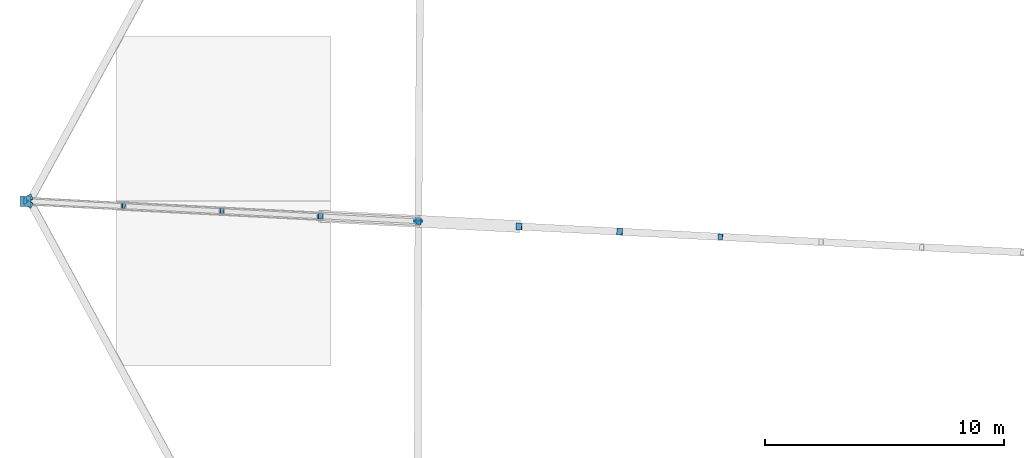
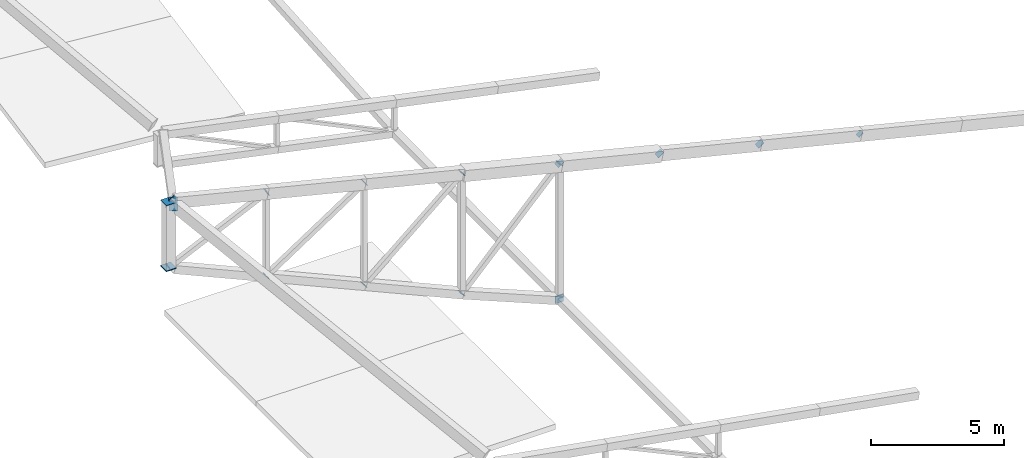
# One storey, part 157 of 188: 19 discrete accessories.
"""IFC4 building model written with IfcOpenShell, lengths in metres."""

from ifc_helpers import new_model, si_unit, direction, frame, origin, origin_2d, place, context, subcontext, project, spatial, rectangle, extrude, material, material_profile, profile_set, type_object, element, save


model = new_model("IFC4")

# Units and contexts
model_context = context("Model", 3, precision=1e-05, world=origin(), true_north=direction((0.0, 1.0)))
body_context = subcontext(model_context, "Body", "Model", "MODEL_VIEW")
ifc_project = project(units=[si_unit("LENGTHUNIT", "METRE"), si_unit("AREAUNIT", "SQUARE_METRE"), si_unit("VOLUMEUNIT", "CUBIC_METRE"), si_unit("PLANEANGLEUNIT", "RADIAN"), si_unit("MASSUNIT", "GRAM", prefix="KILO")], contexts=[model_context])

# Site, building, storey
site_placement = place(None, origin())
site = spatial("IfcSite", under=ifc_project, at=site_placement, CompositionType="ELEMENT")
building_placement = place(site_placement, origin())
building = spatial("IfcBuilding", under=site, at=building_placement, Name="Meseta Stadium", CompositionType="ELEMENT")
storey_placement = place(building_placement, frame((0.0, 0.0, 30.0)))
storey = spatial("IfcBuildingStorey", under=building, at=storey_placement, Name="ROOF", CompositionType="ELEMENT", Elevation=30.0)

# Discrete accessories
ifc_material_1 = material(Name="Steel S355", Category="steel")
ifc_material_profile_1 = material_profile(ifc_material_1, rectangle(XDim=0.239990234375, YDim=0.239990234375, at=origin_2d()), Name="PL 240x240")
ifc_profile_set_1 = profile_set([ifc_material_profile_1], Name="Steel S355")
discrete_accessory_type_1 = type_object("IfcDiscreteAccessoryType", Name="End plate 240x240x20", PredefinedType="ANCHORPLATE", material=ifc_profile_set_1)
for number, where, z_axis, x_axis, name in (
    (1, (-72.290771484375, 29.75390625, 4.313720703125), (-0.643571756924, 0.024285726676, 0.765000390306), (-0.0377090099, -0.999288762357, 0.0), "End plate of ROOF TRUSS RT-30 diagonal"),
    (2, (-84.927490234375, 30.4033203125, 7.017333984375), (-0.662389731567, 0.036799429531, -0.74825506714), (-0.055470019623, -0.998460353205, 0.0), "End plate of ROOF TRUSS RT-30 diagonal"),
    (3, (-89.055419921875, 30.615478515625, 2.376953125), (-0.669190878802, 0.036501320662, -0.742193520126), (-0.05446449316, -0.998515707931, 0.0), "End plate of ROOF TRUSS RT-30 diagonal"),
    (4, (-89.040771484375, 30.61474609375, 7.890625), (-0.730567373975, 0.036528368699, -0.681862882377), (-0.049937616944, -0.998752338878, 0.0), "End plate of ROOF TRUSS RT-30 diagonal"),
):
    element("IfcDiscreteAccessory", number, at=place(storey_placement, frame(where, z_axis=z_axis, x_axis=x_axis)), inside=storey, type_object=discrete_accessory_type_1, Name=name, PredefinedType="ANCHORPLATE", context=body_context, shape_type="SweptSolid", body=[
        extrude(rectangle(XDim=0.239990234375, YDim=0.239990234375, at=origin_2d()), origin(), (0.0, 0.0, 1.0), 0.02001953125),
    ])
discrete_accessory_1_placement = place(storey_placement, frame((-93.17041015625, 30.826904296875, 4.0849609375), z_axis=(-0.736265600911, 0.049084373394, -0.674910134169), x_axis=(-0.066519010524, -0.997785157857, 0.0)))
element("IfcDiscreteAccessory", 5, at=discrete_accessory_1_placement, inside=storey, type_object=discrete_accessory_type_1, Name="End plate of ROOF TRUSS RT-30 diagonal", PredefinedType="ANCHORPLATE", context=body_context, shape_type="SweptSolid", body=[
    extrude(rectangle(XDim=0.239990234375, YDim=0.239990234375, at=origin_2d()), origin(), (0.0, 0.0, 1.0), 0.019775390625),
])
for number, where, z_axis, x_axis, name in (
    (6, (-93.154052734375, 30.826171875, 8.763427734375), (-0.81237488576, 0.036374994885, -0.581999918156), (-0.044731300944, -0.998999054412, 0.0), "End plate of ROOF TRUSS RT-30 diagonal"),
    (7, (-97.28515625, 31.03857421875, 5.79296875), (-0.81237488576, 0.036374994885, -0.581999918156), (-0.044731300944, -0.998999054412, 0.0), "End plate of ROOF TRUSS RT-30 diagonal"),
    (8, (-97.267333984375, 31.03759765625, 9.635498046875), (-0.885971916349, 0.048546406375, -0.461190860565), (-0.054712446702, -0.998502152314, 0.0), "End plate of ROOF TRUSS RT-30 diagonal"),
    (9, (-101.39990234375, 31.25, 7.5009765625), (-0.885971916349, 0.048546406375, -0.461190860565), (-0.054712446702, -0.998502152314, 0.0), "End plate of ROOF TRUSS RT-30 diagonal"),
):
    element("IfcDiscreteAccessory", number, at=place(storey_placement, frame(where, z_axis=z_axis, x_axis=x_axis)), inside=storey, type_object=discrete_accessory_type_1, Name=name, PredefinedType="ANCHORPLATE", context=body_context, shape_type="SweptSolid", body=[
        extrude(rectangle(XDim=0.239990234375, YDim=0.239990234375, at=origin_2d()), origin(), (0.0, 0.0, 1.0), 0.02001953125),
    ])
ifc_material_2 = material(Name="Steel S355", Category="steel")
ifc_material_profile_2 = material_profile(ifc_material_2, rectangle(XDim=0.2900390625, YDim=0.2900390625, at=origin_2d()), Name="PL 290x290")
ifc_profile_set_2 = profile_set([ifc_material_profile_2], Name="Steel S355")
discrete_accessory_type_2 = type_object("IfcDiscreteAccessoryType", Name="End plate 290x290x20", PredefinedType="ANCHORPLATE", material=ifc_profile_set_2)
discrete_accessory_2_placement = place(storey_placement, frame((-76.50732421875, 29.970458984375, 5.2099609375), z_axis=(-0.609303184999, 0.0365581911, 0.792094140499), x_axis=(-0.059892290728, -0.998204845466, 0.0)))
element("IfcDiscreteAccessory", 10, at=discrete_accessory_2_placement, inside=storey, type_object=discrete_accessory_type_2, Name="End plate of ROOF TRUSS RT-30 diagonal", PredefinedType="ANCHORPLATE", context=body_context, shape_type="SweptSolid", body=[
    extrude(rectangle(XDim=0.2900390625, YDim=0.2900390625, at=origin_2d()), origin(), (0.0, 0.0, 1.0), 0.02001953125),
])
discrete_accessory_3_placement = place(storey_placement, frame((-80.72412109375, 30.187255859375, 6.106201171875), z_axis=(-0.565621274945, 0.036888344018, 0.823839683072), x_axis=(-0.065079137346, -0.997880105966, 0.0)))
element("IfcDiscreteAccessory", 11, at=discrete_accessory_3_placement, inside=storey, type_object=discrete_accessory_type_2, Name="End plate of ROOF TRUSS RT-30 diagonal", PredefinedType="ANCHORPLATE", context=body_context, shape_type="SweptSolid", body=[
    extrude(rectangle(XDim=0.2900390625, YDim=0.2900390625, at=origin_2d()), origin(), (0.0, 0.0, 1.0), 0.019775390625),
])
discrete_accessory_4_placement = place(storey_placement, frame((-84.940673828125, 30.404052734375, 7.00244140625), z_axis=(-0.537505444318, 0.024432065651, 0.842906264953), x_axis=(-0.045407660919, -0.99896854021, 0.0)))
element("IfcDiscreteAccessory", 12, at=discrete_accessory_4_placement, inside=storey, type_object=discrete_accessory_type_2, Name="End plate of ROOF TRUSS RT-30 diagonal", PredefinedType="ANCHORPLATE", context=body_context, shape_type="SweptSolid", body=[
    extrude(rectangle(XDim=0.2900390625, YDim=0.2900390625, at=origin_2d()), origin(), (0.0, 0.0, 1.0), 0.02001953125),
])
ifc_material_3 = material(Name="Steel S355", Category="steel")
ifc_material_profile_3 = material_profile(ifc_material_3, rectangle(XDim=0.340087890625, YDim=0.340087890625, at=origin_2d()), Name="PL 340x340")
ifc_profile_set_3 = profile_set([ifc_material_profile_3], Name="Steel S355")
discrete_accessory_type_3 = type_object("IfcDiscreteAccessoryType", Name="End plate 340x340x20", PredefinedType="ANCHORPLATE", material=ifc_profile_set_3)
for number, where, z_axis, x_axis, name in (
    (13, (-84.940673828125, 30.404052734375, 0.800048828125), (-0.012194215217, -0.999925647793, 0.0), (0.999925647793, -0.012194215217, 0.0), "End plate of ROOF PIVOT STRUT RT-29/30"),
    (14, (-84.940673828125, 30.424072265625, 0.800048828125), (0.0, -1.0, 0.0), (1.0, 0.0, 0.0), "End plate of ROOF PIVOT STRUT RT-30/31"),
):
    element("IfcDiscreteAccessory", number, at=place(storey_placement, frame(where, z_axis=z_axis, x_axis=x_axis)), inside=storey, type_object=discrete_accessory_type_3, Name=name, PredefinedType="ANCHORPLATE", context=body_context, shape_type="SweptSolid", body=[
        extrude(rectangle(XDim=0.340087890625, YDim=0.340087890625, at=origin_2d()), origin(), (0.0, 0.0, 1.0), 0.02001953125),
    ])
ifc_material_4 = material(Name="Steel S355", Category="steel")
ifc_material_profile_4 = material_profile(ifc_material_4, rectangle(XDim=0.340087890625, YDim=0.5400390625, at=origin_2d()), Name="PL 340x540")
ifc_profile_set_4 = profile_set([ifc_material_profile_4], Name="Steel S355")
discrete_accessory_type_4 = type_object("IfcDiscreteAccessoryType", Name="End plate 340x540x20", PredefinedType="ANCHORPLATE", material=ifc_profile_set_4)
for number, where, z_axis, x_axis, name in (
    (15, (-101.260498046875, 31.143798828125, 10.410888671875), (-0.438307934267, -0.79138932576, 0.426132713871), (0.882780171044, -0.468208305083, 0.038472752205), "End plate of RIM RING BEAM 30"),
    (16, (-101.270751953125, 31.37158203125, 10.4189453125), (0.428393042953, -0.795587079771, -0.428393042953), (0.887801447532, 0.458842666708, 0.035665066502), "End plate of RIM RING BEAM 31"),
):
    element("IfcDiscreteAccessory", number, at=place(storey_placement, frame(where, z_axis=z_axis, x_axis=x_axis)), inside=storey, type_object=discrete_accessory_type_4, Name=name, PredefinedType="ANCHORPLATE", context=body_context, shape_type="SweptSolid", body=[
        extrude(rectangle(XDim=0.340087890625, YDim=0.5400390625, at=origin_2d()), origin(), (0.0, 0.0, 1.0), 0.02001953125),
    ])
ifc_material_5 = material(Name="Steel S355", Category="steel")
ifc_material_profile_5 = material_profile(ifc_material_5, rectangle(XDim=0.43994140625, YDim=0.43994140625, at=origin_2d()), Name="PL 440x440")
ifc_profile_set_5 = profile_set([ifc_material_profile_5], Name="Steel S355")
discrete_accessory_type_5 = type_object("IfcDiscreteAccessoryType", Name="End plate 440x440x20", PredefinedType="ANCHORPLATE", material=ifc_profile_set_5)
discrete_accessory_5_placement = place(storey_placement, frame((-101.39990234375, 31.25, 7.48095703125), z_axis=(0.0, 0.0, 1.0), x_axis=(1.0, 0.0, 0.0)))
element("IfcDiscreteAccessory", 17, at=discrete_accessory_5_placement, inside=storey, type_object=discrete_accessory_type_5, Name="End plate of ROOF TRUSS RT-30 post", PredefinedType="ANCHORPLATE", context=body_context, shape_type="SweptSolid", body=[
    extrude(rectangle(XDim=0.43994140625, YDim=0.43994140625, at=origin_2d()), origin(), (0.0, 0.0, 1.0), 0.02001953125),
])
for number, where, z_axis, x_axis, name in (
    (18, (-101.39990234375, 31.25, 10.5009765625), (0.0, 0.0, 1.0), (1.0, 0.0, 0.0), "End plate of ROOF TRUSS RT-30 post"),
    (19, (-101.39990234375, 31.25, 7.5009765625), (0.0, 0.0, 1.0), (1.0, 0.0, 0.0), "End plate of ROOF RIM POST RT-30"),
):
    element("IfcDiscreteAccessory", number, at=place(storey_placement, frame(where, z_axis=z_axis, x_axis=x_axis)), inside=storey, type_object=discrete_accessory_type_5, Name=name, PredefinedType="ANCHORPLATE", context=body_context, shape_type="SweptSolid", body=[
        extrude(rectangle(XDim=0.43994140625, YDim=0.43994140625, at=origin_2d()), origin(), (0.0, 0.0, 1.0), 0.019775390625),
    ])

save(model, "model.ifc")
